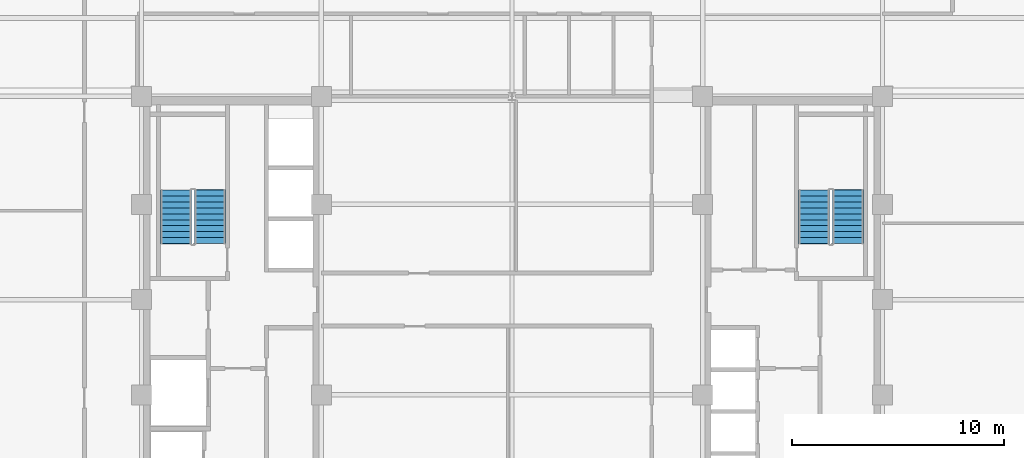
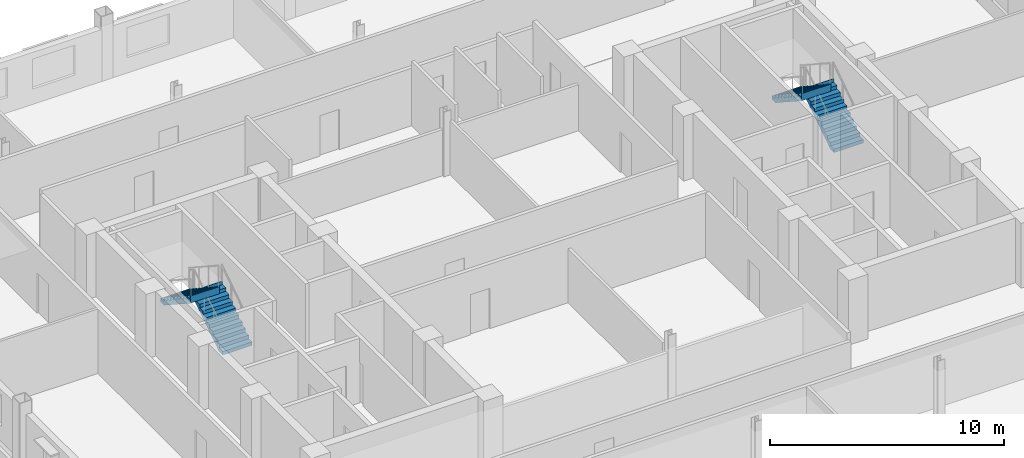
# One storey, part 10 of 14: 4 stair flights, 2 elements without a shape of their own.
"""IFC4 building model written with IfcOpenShell, lengths in metres."""

from ifc_helpers import new_model, si_unit, direction, frame, origin, place, context, subcontext, project, spatial, polyline, outline, extrude, material, type_object, element, aggregate, save


model = new_model("IFC4")

# Units and contexts
model_context = context("Model", 3, precision=1e-05, world=origin(), true_north=direction((0.0, 1.0)))
body_context = subcontext(model_context, "Body", "Model", "MODEL_VIEW")
ifc_project = project(units=[si_unit("LENGTHUNIT", "METRE"), si_unit("AREAUNIT", "SQUARE_METRE"), si_unit("VOLUMEUNIT", "CUBIC_METRE"), si_unit("PLANEANGLEUNIT", "RADIAN"), si_unit("MASSUNIT", "GRAM", prefix="KILO")], contexts=[model_context])

# Site, building, storey
site_placement = place(None, origin())
site = spatial("IfcSite", under=ifc_project, at=site_placement, CompositionType="ELEMENT")
building_placement = place(site_placement, origin())
building = spatial("IfcBuilding", under=site, at=building_placement, Name="Nuvemarco Arch Tower", CompositionType="ELEMENT")
storey_placement = place(building_placement, frame((0.0, 0.0, 142.10009765625)))
storey = spatial("IfcBuildingStorey", under=building, at=storey_placement, Name="L37", CompositionType="ELEMENT", Elevation=142.10009765625)

# Stair, stair flights
ifc_material = material(Name="Precast concrete C45/55", Category="concrete")
stair_type = type_object("IfcStairType", Name="ST-CORE-20R", PredefinedType="HALF_TURN_STAIR", material=ifc_material)
stair_1_placement = place(storey_placement, origin())
stair_1 = element("IfcStair", 1, at=stair_1_placement, inside=storey, type_object=stair_type, Name="L37 Protected Exit Stair ST-1", PredefinedType="HALF_TURN_STAIR")
stair_flight_type = type_object("IfcStairFlightType", Name="SF-CORE-20R", PredefinedType="STRAIGHT", material=ifc_material)
stair_flight_1_placement = place(storey_placement, frame((-14.264892578125, 2.64990234375, 0.0), z_axis=(0.0, 0.0, 1.0), x_axis=(0.0, 1.0, 0.0)))
stair_flight_1 = element("IfcStairFlight", 2, at=stair_flight_1_placement, type_object=stair_flight_type, Name="ST-20R flight 1", NumberOfRisers=10, NumberOfTreads=9, PredefinedType="STRAIGHT", RiserHeight=0.1825, TreadLength=0.28, context=body_context, shape_type="SweptSolid", body=[
    extrude(outline(polyline([(0.0, 0.0), (0.0, 0.1826171875), (0.280029296875, 0.1826171875), (0.280029296875, 0.364990234375), (0.56005859375, 0.364990234375), (0.56005859375, 0.547607421875), (0.840087890625, 0.547607421875), (0.840087890625, 0.72998046875), (1.1201171875, 0.72998046875), (1.1201171875, 0.91259765625), (1.39990234375, 0.91259765625), (1.39990234375, 1.094970703125), (1.679931640625, 1.094970703125), (1.679931640625, 1.277587890625), (1.9599609375, 1.277587890625), (1.9599609375, 1.4599609375), (2.239990234375, 1.4599609375), (2.239990234375, 1.642578125), (2.52001953125, 1.642578125), (2.52001953125, 1.824951171875), (2.5400390625, 1.824951171875), (2.5400390625, 1.45166015625), (0.312744140625, 0.0), (0.0, 0.0)])), frame((0.0, 0.72509765625, 0.0), z_axis=(0.0, -1.0, 0.0), x_axis=(1.0, 0.0, 0.0)), (0.0, 0.0, 1.0), 1.449951171875),
])
stair_flight_2_placement = place(storey_placement, frame((-15.875, 5.169921875, 1.824951171875), z_axis=(0.0, 0.0, 1.0), x_axis=(0.0, -1.0, 0.0)))
stair_flight_2 = element("IfcStairFlight", 3, at=stair_flight_2_placement, type_object=stair_flight_type, Name="ST-20R flight 2", NumberOfRisers=10, NumberOfTreads=9, PredefinedType="STRAIGHT", RiserHeight=0.1825, TreadLength=0.28, context=body_context, shape_type="SweptSolid", body=[
    extrude(outline(polyline([(0.0, 0.0), (0.0, 0.1826171875), (0.280029296875, 0.1826171875), (0.280029296875, 0.364990234375), (0.56005859375, 0.364990234375), (0.56005859375, 0.547607421875), (0.840087890625, 0.547607421875), (0.840087890625, 0.72998046875), (1.1201171875, 0.72998046875), (1.1201171875, 0.91259765625), (1.39990234375, 0.91259765625), (1.39990234375, 1.094970703125), (1.679931640625, 1.094970703125), (1.679931640625, 1.277587890625), (1.9599609375, 1.277587890625), (1.9599609375, 1.4599609375), (2.239990234375, 1.4599609375), (2.239990234375, 1.642578125), (2.52001953125, 1.642578125), (2.52001953125, 1.824951171875), (2.5400390625, 1.824951171875), (2.5400390625, 1.45166015625), (0.312744140625, 0.0), (0.0, 0.0)])), frame((0.0, 0.72509765625, 0.0), z_axis=(0.0, -1.0, 0.0), x_axis=(1.0, 0.0, 0.0)), (0.0, 0.0, 1.0), 1.449951171875),
])
aggregate(stair_1, [stair_flight_1, stair_flight_2])

stair_2_placement = place(storey_placement, origin())
stair_2 = element("IfcStair", 4, at=stair_2_placement, inside=storey, type_object=stair_type, Name="L37 Protected Exit Stair ST-2", PredefinedType="HALF_TURN_STAIR")
stair_flight_3_placement = place(storey_placement, frame((15.875, 2.64990234375, 0.0), z_axis=(0.0, 0.0, 1.0), x_axis=(0.0, 1.0, 0.0)))
stair_flight_3 = element("IfcStairFlight", 5, at=stair_flight_3_placement, type_object=stair_flight_type, Name="ST-20R flight 1", NumberOfRisers=10, NumberOfTreads=9, PredefinedType="STRAIGHT", RiserHeight=0.1825, TreadLength=0.28, context=body_context, shape_type="SweptSolid", body=[
    extrude(outline(polyline([(0.0, 0.0), (0.0, 0.1826171875), (0.280029296875, 0.1826171875), (0.280029296875, 0.364990234375), (0.56005859375, 0.364990234375), (0.56005859375, 0.547607421875), (0.840087890625, 0.547607421875), (0.840087890625, 0.72998046875), (1.1201171875, 0.72998046875), (1.1201171875, 0.91259765625), (1.39990234375, 0.91259765625), (1.39990234375, 1.094970703125), (1.679931640625, 1.094970703125), (1.679931640625, 1.277587890625), (1.9599609375, 1.277587890625), (1.9599609375, 1.4599609375), (2.239990234375, 1.4599609375), (2.239990234375, 1.642578125), (2.52001953125, 1.642578125), (2.52001953125, 1.824951171875), (2.5400390625, 1.824951171875), (2.5400390625, 1.45166015625), (0.312744140625, 0.0), (0.0, 0.0)])), frame((0.0, 0.72509765625, 0.0), z_axis=(0.0, -1.0, 0.0), x_axis=(1.0, 0.0, 0.0)), (0.0, 0.0, 1.0), 1.449951171875),
])
stair_flight_4_placement = place(storey_placement, frame((14.264892578125, 5.169921875, 1.824951171875), z_axis=(0.0, 0.0, 1.0), x_axis=(0.0, -1.0, 0.0)))
stair_flight_4 = element("IfcStairFlight", 6, at=stair_flight_4_placement, type_object=stair_flight_type, Name="ST-20R flight 2", NumberOfRisers=10, NumberOfTreads=9, PredefinedType="STRAIGHT", RiserHeight=0.1825, TreadLength=0.28, context=body_context, shape_type="SweptSolid", body=[
    extrude(outline(polyline([(0.0, 0.0), (0.0, 0.1826171875), (0.280029296875, 0.1826171875), (0.280029296875, 0.364990234375), (0.56005859375, 0.364990234375), (0.56005859375, 0.547607421875), (0.840087890625, 0.547607421875), (0.840087890625, 0.72998046875), (1.1201171875, 0.72998046875), (1.1201171875, 0.91259765625), (1.39990234375, 0.91259765625), (1.39990234375, 1.094970703125), (1.679931640625, 1.094970703125), (1.679931640625, 1.277587890625), (1.9599609375, 1.277587890625), (1.9599609375, 1.4599609375), (2.239990234375, 1.4599609375), (2.239990234375, 1.642578125), (2.52001953125, 1.642578125), (2.52001953125, 1.824951171875), (2.5400390625, 1.824951171875), (2.5400390625, 1.45166015625), (0.312744140625, 0.0), (0.0, 0.0)])), frame((0.0, 0.72509765625, 0.0), z_axis=(0.0, -1.0, 0.0), x_axis=(1.0, 0.0, 0.0)), (0.0, 0.0, 1.0), 1.449951171875),
])
aggregate(stair_2, [stair_flight_3, stair_flight_4])

save(model, "model.ifc")
